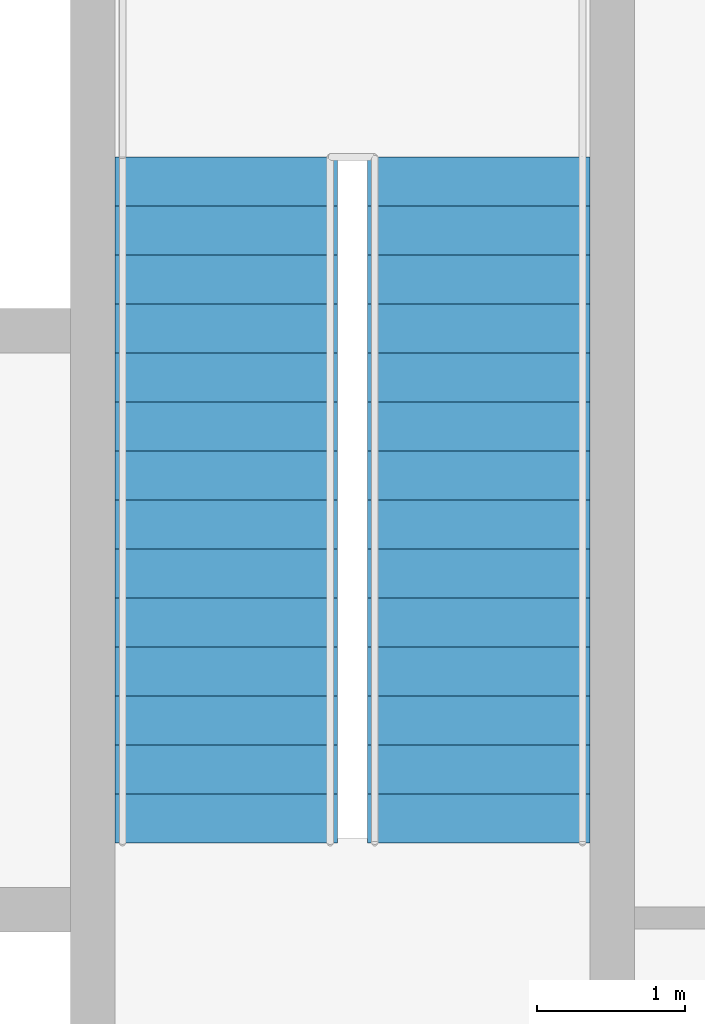
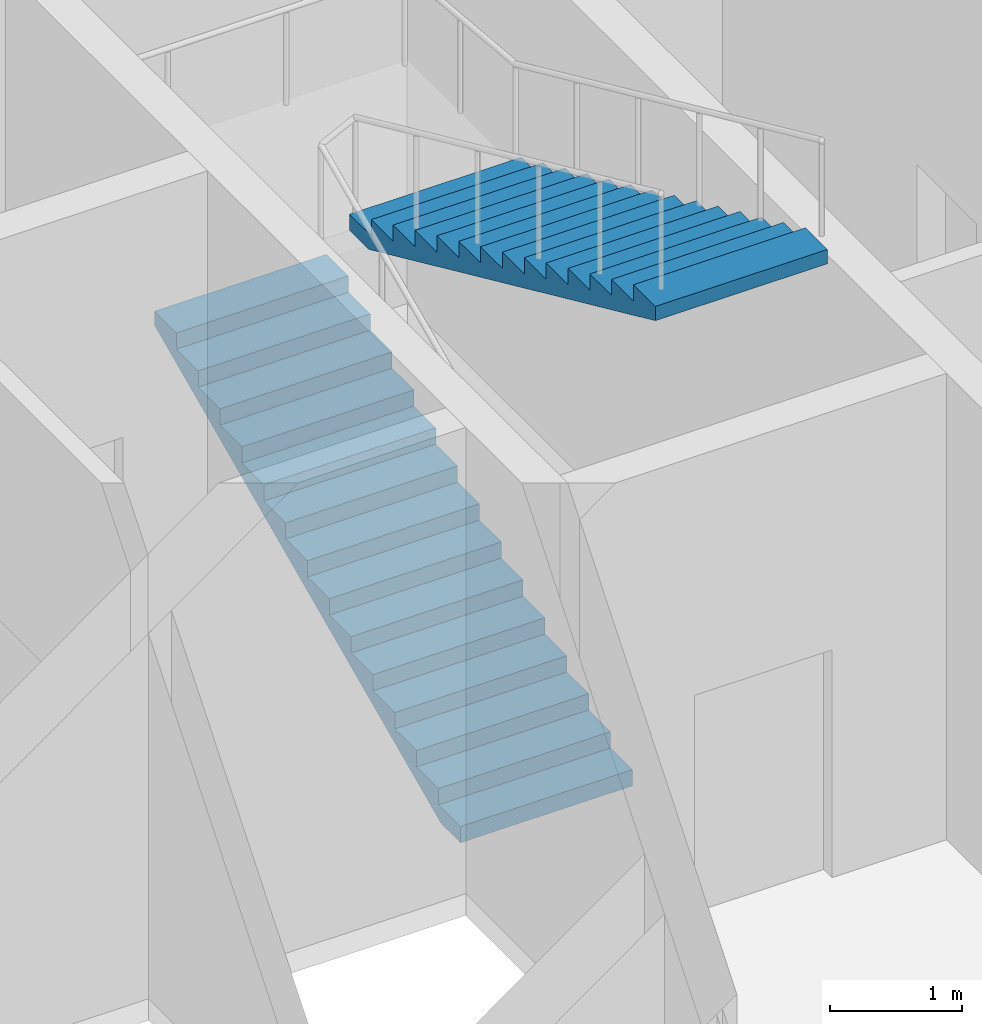
# One storey, part 10 of 11: 2 stair flights, 1 element without a shape of its own.
"""IFC4 building model written with IfcOpenShell, lengths in metres."""

from ifc_helpers import new_model, si_unit, direction, frame, origin, place, context, subcontext, project, spatial, polygons, material, type_object, element, aggregate, save


model = new_model("IFC4")

# Units and contexts
model_context = context("Model", 3, precision=1e-05, world=origin(), true_north=direction((0.0, 1.0)))
body_context = subcontext(model_context, "Body", "Model", "MODEL_VIEW")
ifc_project = project(units=[si_unit("LENGTHUNIT", "METRE"), si_unit("AREAUNIT", "SQUARE_METRE"), si_unit("VOLUMEUNIT", "CUBIC_METRE"), si_unit("PLANEANGLEUNIT", "RADIAN"), si_unit("MASSUNIT", "GRAM", prefix="KILO")], contexts=[model_context])

# Site, building, storey
site_placement = place(None, origin())
site = spatial("IfcSite", under=ifc_project, at=site_placement, CompositionType="ELEMENT")
building_placement = place(site_placement, origin())
building = spatial("IfcBuilding", under=site, at=building_placement, Name="Njiva Tower", CompositionType="ELEMENT")
storey_placement = place(building_placement, frame((0.0, 0.0, 93.3)))
storey = spatial("IfcBuildingStorey", under=building, at=storey_placement, Name="L19", CompositionType="ELEMENT", Elevation=93.3)

# Stair, stair flights
ifc_material = material(Name="Concrete C40/50", Category="concrete")
stair_type = type_object("IfcStairType", Name="ST4 Exit stair 1500", PredefinedType="HALF_TURN_STAIR", material=ifc_material)
stair_placement = place(storey_placement, origin())
stair = element("IfcStair", 1, at=stair_placement, inside=storey, type_object=stair_type, Name="Stair B", PredefinedType="HALF_TURN_STAIR")
stair_flight_type = type_object("IfcStairFlightType", Name="FL4 Stair flight 1500", PredefinedType="STRAIGHT", material=ifc_material)
stair_flight_1_placement = place(storey_placement, frame((11.75, 11.1, 0.0), z_axis=(0.0, 0.0, 1.0), x_axis=(0.0, 1.0, 0.0)))
stair_flight_1 = element("IfcStairFlight", 2, at=stair_flight_1_placement, type_object=stair_flight_type, Name="ST-B flight 1", NumberOfRisers=15, NumberOfTreads=14, PredefinedType="STRAIGHT", RiserHeight=0.15, TreadLength=0.33, context=body_context, shape_type="Tessellation", body=[
    polygons([(0.0, 0.75, 0.0), (0.0, 0.375, 0.0), (0.0, 0.0, 0.0), (0.0, -0.375, 0.0), (0.0, -0.75, 0.0), (0.0, 0.75, 0.15), (0.0, 0.375, 0.15), (0.0, 0.0, 0.15), (0.0, -0.375, 0.15), (0.0, -0.75, 0.15), (0.33, 0.75, 0.15), (0.33, 0.375, 0.15), (0.33, 0.0, 0.15), (0.33, -0.375, 0.15), (0.33, -0.75, 0.15), (0.33, 0.75, 0.3), (0.33, 0.375, 0.3), (0.33, 0.0, 0.3), (0.33, -0.375, 0.3), (0.33, -0.75, 0.3), (0.66, 0.75, 0.3), (0.66, 0.375, 0.3), (0.66, 0.0, 0.3), (0.66, -0.375, 0.3), (0.66, -0.75, 0.3), (0.66, 0.75, 0.45), (0.66, 0.375, 0.45), (0.66, 0.0, 0.45), (0.66, -0.375, 0.45), (0.66, -0.75, 0.45), (0.99, 0.75, 0.45), (0.99, 0.375, 0.45), (0.99, 0.0, 0.45), (0.99, -0.375, 0.45), (0.99, -0.75, 0.45), (0.99, 0.75, 0.6), (0.99, 0.375, 0.6), (0.99, 0.0, 0.6), (0.99, -0.375, 0.6), (0.99, -0.75, 0.6), (1.32, 0.75, 0.6), (1.32, 0.375, 0.6), (1.32, 0.0, 0.6), (1.32, -0.375, 0.6), (1.32, -0.75, 0.6), (1.32, 0.75, 0.75), (1.32, 0.375, 0.75), (1.32, 0.0, 0.75), (1.32, -0.375, 0.75), (1.32, -0.75, 0.75), (1.65, 0.75, 0.75), (1.65, 0.375, 0.75), (1.65, 0.0, 0.75), (1.65, -0.375, 0.75), (1.65, -0.75, 0.75), (1.65, 0.75, 0.9), (1.65, 0.375, 0.9), (1.65, 0.0, 0.9), (1.65, -0.375, 0.9), (1.65, -0.75, 0.9), (1.98, 0.75, 0.9), (1.98, 0.375, 0.9), (1.98, 0.0, 0.9), (1.98, -0.375, 0.9), (1.98, -0.75, 0.9), (1.98, 0.75, 1.05), (1.98, 0.375, 1.05), (1.98, 0.0, 1.05), (1.98, -0.375, 1.05), (1.98, -0.75, 1.05), (2.31, 0.75, 1.05), (2.31, 0.375, 1.05), (2.31, 0.0, 1.05), (2.31, -0.375, 1.05), (2.31, -0.75, 1.05), (2.31, 0.75, 1.2), (2.31, 0.375, 1.2), (2.31, 0.0, 1.2), (2.31, -0.375, 1.2), (2.31, -0.75, 1.2), (2.64, 0.75, 1.2), (2.64, 0.375, 1.2), (2.64, 0.0, 1.2), (2.64, -0.375, 1.2), (2.64, -0.75, 1.2), (2.64, 0.75, 1.35), (2.64, 0.375, 1.35), (2.64, 0.0, 1.35), (2.64, -0.375, 1.35), (2.64, -0.75, 1.35), (2.97, 0.75, 1.35), (2.97, 0.375, 1.35), (2.97, 0.0, 1.35), (2.97, -0.375, 1.35), (2.97, -0.75, 1.35), (2.97, 0.75, 1.5), (2.97, 0.375, 1.5), (2.97, 0.0, 1.5), (2.97, -0.375, 1.5), (2.97, -0.75, 1.5), (3.3, 0.75, 1.5), (3.3, 0.375, 1.5), (3.3, 0.0, 1.5), (3.3, -0.375, 1.5), (3.3, -0.75, 1.5), (3.3, 0.75, 1.65), (3.3, 0.375, 1.65), (3.3, 0.0, 1.65), (3.3, -0.375, 1.65), (3.3, -0.75, 1.65), (3.63, 0.75, 1.65), (3.63, 0.375, 1.65), (3.63, 0.0, 1.65), (3.63, -0.375, 1.65), (3.63, -0.75, 1.65), (3.63, 0.75, 1.8), (3.63, 0.375, 1.8), (3.63, 0.0, 1.8), (3.63, -0.375, 1.8), (3.63, -0.75, 1.8), (3.96, 0.75, 1.8), (3.96, 0.375, 1.8), (3.96, 0.0, 1.8), (3.96, -0.375, 1.8), (3.96, -0.75, 1.8), (3.96, 0.75, 1.95), (3.96, 0.375, 1.95), (3.96, 0.0, 1.95), (3.96, -0.375, 1.95), (3.96, -0.75, 1.95), (4.29, 0.75, 1.95), (4.29, 0.375, 1.95), (4.29, 0.0, 1.95), (4.29, -0.375, 1.95), (4.29, -0.75, 1.95), (4.29, 0.75, 2.1), (4.29, 0.375, 2.1), (4.29, 0.0, 2.1), (4.29, -0.375, 2.1), (4.29, -0.75, 2.1), (4.62, 0.75, 2.1), (4.62, 0.375, 2.1), (4.62, 0.0, 2.1), (4.62, -0.375, 2.1), (4.62, -0.75, 2.1), (4.62, 0.75, 1.9682), (4.62, 0.375, 1.9682), (4.62, 0.0, 1.9682), (4.62, -0.375, 1.9682), (4.62, -0.75, 1.9682), (0.29, 0.75, 0.0), (0.29, 0.375, 0.0), (0.29, 0.0, 0.0), (0.29, -0.375, 0.0), (0.29, -0.75, 0.0)], [[[1, 6, 11, 16, 21, 26, 31, 36, 41, 46, 51, 56, 61, 66, 71, 76, 81, 86, 91, 96, 101, 106, 111, 116, 121, 126, 131, 136, 141, 146, 151]], [[155, 150, 145, 140, 135, 130, 125, 120, 115, 110, 105, 100, 95, 90, 85, 80, 75, 70, 65, 60, 55, 50, 45, 40, 35, 30, 25, 20, 15, 10, 5]], [[6, 1, 2, 7]], [[7, 2, 3, 8]], [[8, 3, 4, 9]], [[9, 4, 5, 10]], [[11, 6, 7, 12]], [[12, 7, 8, 13]], [[13, 8, 9, 14]], [[14, 9, 10, 15]], [[16, 11, 12, 17]], [[17, 12, 13, 18]], [[18, 13, 14, 19]], [[19, 14, 15, 20]], [[21, 16, 17, 22]], [[22, 17, 18, 23]], [[23, 18, 19, 24]], [[24, 19, 20, 25]], [[26, 21, 22, 27]], [[27, 22, 23, 28]], [[28, 23, 24, 29]], [[29, 24, 25, 30]], [[31, 26, 27, 32]], [[32, 27, 28, 33]], [[33, 28, 29, 34]], [[34, 29, 30, 35]], [[36, 31, 32, 37]], [[37, 32, 33, 38]], [[38, 33, 34, 39]], [[39, 34, 35, 40]], [[41, 36, 37, 42]], [[42, 37, 38, 43]], [[43, 38, 39, 44]], [[44, 39, 40, 45]], [[46, 41, 42, 47]], [[47, 42, 43, 48]], [[48, 43, 44, 49]], [[49, 44, 45, 50]], [[51, 46, 47, 52]], [[52, 47, 48, 53]], [[53, 48, 49, 54]], [[54, 49, 50, 55]], [[56, 51, 52, 57]], [[57, 52, 53, 58]], [[58, 53, 54, 59]], [[59, 54, 55, 60]], [[61, 56, 57, 62]], [[62, 57, 58, 63]], [[63, 58, 59, 64]], [[64, 59, 60, 65]], [[66, 61, 62, 67]], [[67, 62, 63, 68]], [[68, 63, 64, 69]], [[69, 64, 65, 70]], [[71, 66, 67, 72]], [[72, 67, 68, 73]], [[73, 68, 69, 74]], [[74, 69, 70, 75]], [[76, 71, 72, 77]], [[77, 72, 73, 78]], [[78, 73, 74, 79]], [[79, 74, 75, 80]], [[81, 76, 77, 82]], [[82, 77, 78, 83]], [[83, 78, 79, 84]], [[84, 79, 80, 85]], [[86, 81, 82, 87]], [[87, 82, 83, 88]], [[88, 83, 84, 89]], [[89, 84, 85, 90]], [[91, 86, 87, 92]], [[92, 87, 88, 93]], [[93, 88, 89, 94]], [[94, 89, 90, 95]], [[96, 91, 92, 97]], [[97, 92, 93, 98]], [[98, 93, 94, 99]], [[99, 94, 95, 100]], [[101, 96, 97, 102]], [[102, 97, 98, 103]], [[103, 98, 99, 104]], [[104, 99, 100, 105]], [[106, 101, 102, 107]], [[107, 102, 103, 108]], [[108, 103, 104, 109]], [[109, 104, 105, 110]], [[111, 106, 107, 112]], [[112, 107, 108, 113]], [[113, 108, 109, 114]], [[114, 109, 110, 115]], [[116, 111, 112, 117]], [[117, 112, 113, 118]], [[118, 113, 114, 119]], [[119, 114, 115, 120]], [[121, 116, 117, 122]], [[122, 117, 118, 123]], [[123, 118, 119, 124]], [[124, 119, 120, 125]], [[126, 121, 122, 127]], [[127, 122, 123, 128]], [[128, 123, 124, 129]], [[129, 124, 125, 130]], [[131, 126, 127, 132]], [[132, 127, 128, 133]], [[133, 128, 129, 134]], [[134, 129, 130, 135]], [[136, 131, 132, 137]], [[137, 132, 133, 138]], [[138, 133, 134, 139]], [[139, 134, 135, 140]], [[141, 136, 137, 142]], [[142, 137, 138, 143]], [[143, 138, 139, 144]], [[144, 139, 140, 145]], [[146, 141, 142, 147]], [[147, 142, 143, 148]], [[148, 143, 144, 149]], [[149, 144, 145, 150]], [[151, 146, 147, 152]], [[152, 147, 148, 153]], [[153, 148, 149, 154]], [[154, 149, 150, 155]], [[1, 151, 152, 2]], [[2, 152, 153, 3]], [[3, 153, 154, 4]], [[4, 154, 155, 5]]], closed=True),
])
stair_flight_2_placement = place(storey_placement, frame((13.45, 15.72, 2.25), z_axis=(0.0, 0.0, 1.0), x_axis=(0.0, -1.0, 0.0)))
stair_flight_2 = element("IfcStairFlight", 3, at=stair_flight_2_placement, type_object=stair_flight_type, Name="ST-B flight 2", NumberOfRisers=15, NumberOfTreads=14, PredefinedType="STRAIGHT", RiserHeight=0.15, TreadLength=0.33, context=body_context, shape_type="Tessellation", body=[
    polygons([(0.0, 0.75, 0.0), (0.0, 0.375, 0.0), (0.0, 0.0, 0.0), (0.0, -0.375, 0.0), (0.0, -0.75, 0.0), (0.0, 0.75, 0.15), (0.0, 0.375, 0.15), (0.0, 0.0, 0.15), (0.0, -0.375, 0.15), (0.0, -0.75, 0.15), (0.33, 0.75, 0.15), (0.33, 0.375, 0.15), (0.33, 0.0, 0.15), (0.33, -0.375, 0.15), (0.33, -0.75, 0.15), (0.33, 0.75, 0.3), (0.33, 0.375, 0.3), (0.33, 0.0, 0.3), (0.33, -0.375, 0.3), (0.33, -0.75, 0.3), (0.66, 0.75, 0.3), (0.66, 0.375, 0.3), (0.66, 0.0, 0.3), (0.66, -0.375, 0.3), (0.66, -0.75, 0.3), (0.66, 0.75, 0.45), (0.66, 0.375, 0.45), (0.66, 0.0, 0.45), (0.66, -0.375, 0.45), (0.66, -0.75, 0.45), (0.99, 0.75, 0.45), (0.99, 0.375, 0.45), (0.99, 0.0, 0.45), (0.99, -0.375, 0.45), (0.99, -0.75, 0.45), (0.99, 0.75, 0.6), (0.99, 0.375, 0.6), (0.99, 0.0, 0.6), (0.99, -0.375, 0.6), (0.99, -0.75, 0.6), (1.32, 0.75, 0.6), (1.32, 0.375, 0.6), (1.32, 0.0, 0.6), (1.32, -0.375, 0.6), (1.32, -0.75, 0.6), (1.32, 0.75, 0.75), (1.32, 0.375, 0.75), (1.32, 0.0, 0.75), (1.32, -0.375, 0.75), (1.32, -0.75, 0.75), (1.65, 0.75, 0.75), (1.65, 0.375, 0.75), (1.65, 0.0, 0.75), (1.65, -0.375, 0.75), (1.65, -0.75, 0.75), (1.65, 0.75, 0.9), (1.65, 0.375, 0.9), (1.65, 0.0, 0.9), (1.65, -0.375, 0.9), (1.65, -0.75, 0.9), (1.98, 0.75, 0.9), (1.98, 0.375, 0.9), (1.98, 0.0, 0.9), (1.98, -0.375, 0.9), (1.98, -0.75, 0.9), (1.98, 0.75, 1.05), (1.98, 0.375, 1.05), (1.98, 0.0, 1.05), (1.98, -0.375, 1.05), (1.98, -0.75, 1.05), (2.31, 0.75, 1.05), (2.31, 0.375, 1.05), (2.31, 0.0, 1.05), (2.31, -0.375, 1.05), (2.31, -0.75, 1.05), (2.31, 0.75, 1.2), (2.31, 0.375, 1.2), (2.31, 0.0, 1.2), (2.31, -0.375, 1.2), (2.31, -0.75, 1.2), (2.64, 0.75, 1.2), (2.64, 0.375, 1.2), (2.64, 0.0, 1.2), (2.64, -0.375, 1.2), (2.64, -0.75, 1.2), (2.64, 0.75, 1.35), (2.64, 0.375, 1.35), (2.64, 0.0, 1.35), (2.64, -0.375, 1.35), (2.64, -0.75, 1.35), (2.97, 0.75, 1.35), (2.97, 0.375, 1.35), (2.97, 0.0, 1.35), (2.97, -0.375, 1.35), (2.97, -0.75, 1.35), (2.97, 0.75, 1.5), (2.97, 0.375, 1.5), (2.97, 0.0, 1.5), (2.97, -0.375, 1.5), (2.97, -0.75, 1.5), (3.3, 0.75, 1.5), (3.3, 0.375, 1.5), (3.3, 0.0, 1.5), (3.3, -0.375, 1.5), (3.3, -0.75, 1.5), (3.3, 0.75, 1.65), (3.3, 0.375, 1.65), (3.3, 0.0, 1.65), (3.3, -0.375, 1.65), (3.3, -0.75, 1.65), (3.63, 0.75, 1.65), (3.63, 0.375, 1.65), (3.63, 0.0, 1.65), (3.63, -0.375, 1.65), (3.63, -0.75, 1.65), (3.63, 0.75, 1.8), (3.63, 0.375, 1.8), (3.63, 0.0, 1.8), (3.63, -0.375, 1.8), (3.63, -0.75, 1.8), (3.96, 0.75, 1.8), (3.96, 0.375, 1.8), (3.96, 0.0, 1.8), (3.96, -0.375, 1.8), (3.96, -0.75, 1.8), (3.96, 0.75, 1.95), (3.96, 0.375, 1.95), (3.96, 0.0, 1.95), (3.96, -0.375, 1.95), (3.96, -0.75, 1.95), (4.29, 0.75, 1.95), (4.29, 0.375, 1.95), (4.29, 0.0, 1.95), (4.29, -0.375, 1.95), (4.29, -0.75, 1.95), (4.29, 0.75, 2.1), (4.29, 0.375, 2.1), (4.29, 0.0, 2.1), (4.29, -0.375, 2.1), (4.29, -0.75, 2.1), (4.62, 0.75, 2.1), (4.62, 0.375, 2.1), (4.62, 0.0, 2.1), (4.62, -0.375, 2.1), (4.62, -0.75, 2.1), (4.62, 0.75, 1.9682), (4.62, 0.375, 1.9682), (4.62, 0.0, 1.9682), (4.62, -0.375, 1.9682), (4.62, -0.75, 1.9682), (0.29, 0.75, 0.0), (0.29, 0.375, 0.0), (0.29, 0.0, 0.0), (0.29, -0.375, 0.0), (0.29, -0.75, 0.0)], [[[1, 6, 11, 16, 21, 26, 31, 36, 41, 46, 51, 56, 61, 66, 71, 76, 81, 86, 91, 96, 101, 106, 111, 116, 121, 126, 131, 136, 141, 146, 151]], [[155, 150, 145, 140, 135, 130, 125, 120, 115, 110, 105, 100, 95, 90, 85, 80, 75, 70, 65, 60, 55, 50, 45, 40, 35, 30, 25, 20, 15, 10, 5]], [[6, 1, 2, 7]], [[7, 2, 3, 8]], [[8, 3, 4, 9]], [[9, 4, 5, 10]], [[11, 6, 7, 12]], [[12, 7, 8, 13]], [[13, 8, 9, 14]], [[14, 9, 10, 15]], [[16, 11, 12, 17]], [[17, 12, 13, 18]], [[18, 13, 14, 19]], [[19, 14, 15, 20]], [[21, 16, 17, 22]], [[22, 17, 18, 23]], [[23, 18, 19, 24]], [[24, 19, 20, 25]], [[26, 21, 22, 27]], [[27, 22, 23, 28]], [[28, 23, 24, 29]], [[29, 24, 25, 30]], [[31, 26, 27, 32]], [[32, 27, 28, 33]], [[33, 28, 29, 34]], [[34, 29, 30, 35]], [[36, 31, 32, 37]], [[37, 32, 33, 38]], [[38, 33, 34, 39]], [[39, 34, 35, 40]], [[41, 36, 37, 42]], [[42, 37, 38, 43]], [[43, 38, 39, 44]], [[44, 39, 40, 45]], [[46, 41, 42, 47]], [[47, 42, 43, 48]], [[48, 43, 44, 49]], [[49, 44, 45, 50]], [[51, 46, 47, 52]], [[52, 47, 48, 53]], [[53, 48, 49, 54]], [[54, 49, 50, 55]], [[56, 51, 52, 57]], [[57, 52, 53, 58]], [[58, 53, 54, 59]], [[59, 54, 55, 60]], [[61, 56, 57, 62]], [[62, 57, 58, 63]], [[63, 58, 59, 64]], [[64, 59, 60, 65]], [[66, 61, 62, 67]], [[67, 62, 63, 68]], [[68, 63, 64, 69]], [[69, 64, 65, 70]], [[71, 66, 67, 72]], [[72, 67, 68, 73]], [[73, 68, 69, 74]], [[74, 69, 70, 75]], [[76, 71, 72, 77]], [[77, 72, 73, 78]], [[78, 73, 74, 79]], [[79, 74, 75, 80]], [[81, 76, 77, 82]], [[82, 77, 78, 83]], [[83, 78, 79, 84]], [[84, 79, 80, 85]], [[86, 81, 82, 87]], [[87, 82, 83, 88]], [[88, 83, 84, 89]], [[89, 84, 85, 90]], [[91, 86, 87, 92]], [[92, 87, 88, 93]], [[93, 88, 89, 94]], [[94, 89, 90, 95]], [[96, 91, 92, 97]], [[97, 92, 93, 98]], [[98, 93, 94, 99]], [[99, 94, 95, 100]], [[101, 96, 97, 102]], [[102, 97, 98, 103]], [[103, 98, 99, 104]], [[104, 99, 100, 105]], [[106, 101, 102, 107]], [[107, 102, 103, 108]], [[108, 103, 104, 109]], [[109, 104, 105, 110]], [[111, 106, 107, 112]], [[112, 107, 108, 113]], [[113, 108, 109, 114]], [[114, 109, 110, 115]], [[116, 111, 112, 117]], [[117, 112, 113, 118]], [[118, 113, 114, 119]], [[119, 114, 115, 120]], [[121, 116, 117, 122]], [[122, 117, 118, 123]], [[123, 118, 119, 124]], [[124, 119, 120, 125]], [[126, 121, 122, 127]], [[127, 122, 123, 128]], [[128, 123, 124, 129]], [[129, 124, 125, 130]], [[131, 126, 127, 132]], [[132, 127, 128, 133]], [[133, 128, 129, 134]], [[134, 129, 130, 135]], [[136, 131, 132, 137]], [[137, 132, 133, 138]], [[138, 133, 134, 139]], [[139, 134, 135, 140]], [[141, 136, 137, 142]], [[142, 137, 138, 143]], [[143, 138, 139, 144]], [[144, 139, 140, 145]], [[146, 141, 142, 147]], [[147, 142, 143, 148]], [[148, 143, 144, 149]], [[149, 144, 145, 150]], [[151, 146, 147, 152]], [[152, 147, 148, 153]], [[153, 148, 149, 154]], [[154, 149, 150, 155]], [[1, 151, 152, 2]], [[2, 152, 153, 3]], [[3, 153, 154, 4]], [[4, 154, 155, 5]]], closed=True),
])
aggregate(stair, [stair_flight_1, stair_flight_2])

save(model, "model.ifc")
